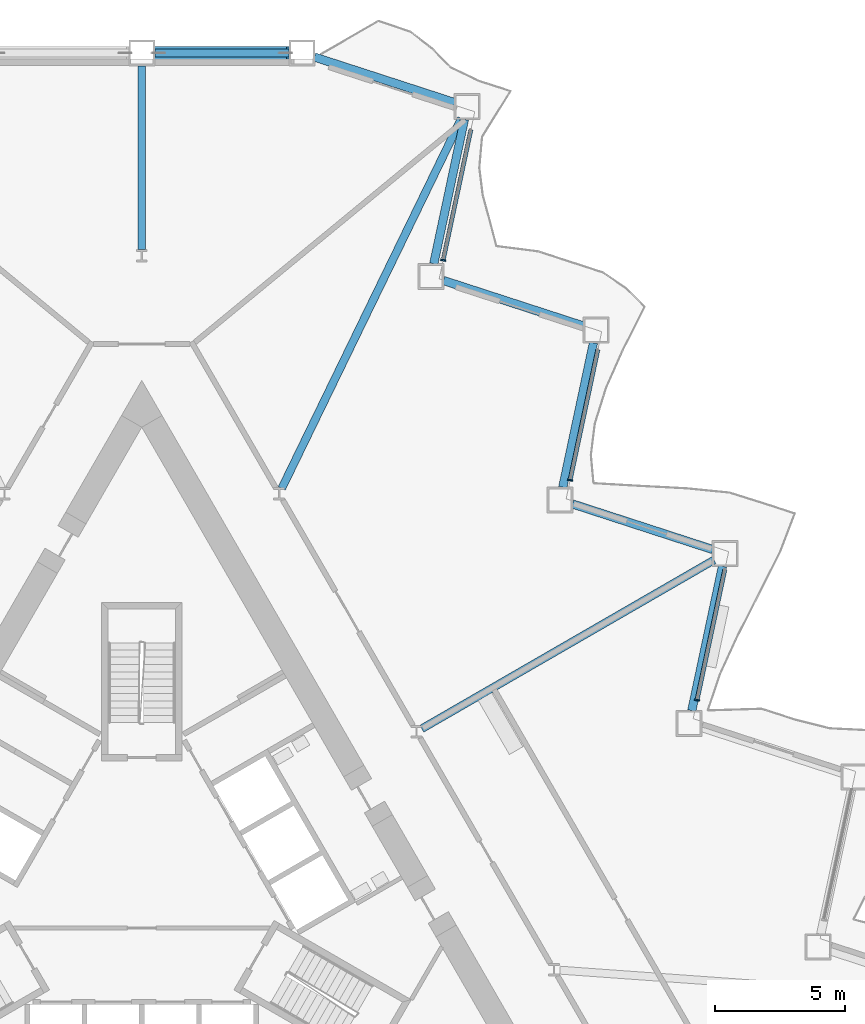
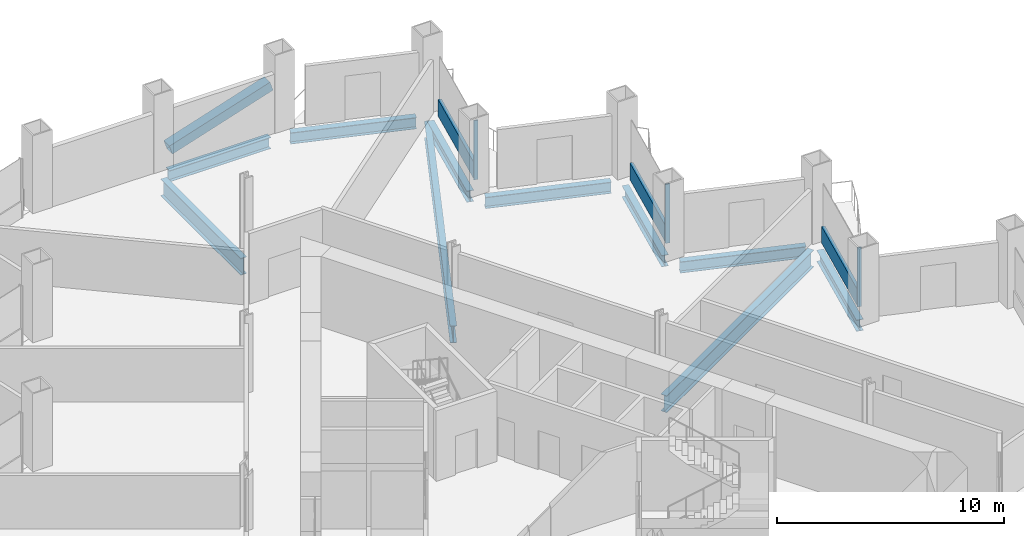
# One storey, part 7 of 20: 10 beams, 7 members, 3 elements without a shape of their own.
"""IFC4 building model written with IfcOpenShell, lengths in metres."""

from ifc_helpers import new_model, si_unit, direction, frame, origin, origin_2d, place, context, subcontext, project, spatial, rectangle, hollow_rectangle, i_section, extrude, material, layer, layer_set, material_profile, profile_set, type_object, element, aggregate, save


model = new_model("IFC4")

# Units and contexts
model_context = context("Model", 3, precision=1e-05, world=origin(), true_north=direction((0.0, 1.0)))
body_context = subcontext(model_context, "Body", "Model", "MODEL_VIEW")
ifc_project = project(units=[si_unit("LENGTHUNIT", "METRE"), si_unit("AREAUNIT", "SQUARE_METRE"), si_unit("VOLUMEUNIT", "CUBIC_METRE"), si_unit("PLANEANGLEUNIT", "RADIAN"), si_unit("MASSUNIT", "GRAM", prefix="KILO")], contexts=[model_context])

# Site, building, storey
site_placement = place(None, origin())
site = spatial("IfcSite", under=ifc_project, at=site_placement, CompositionType="ELEMENT")
building_placement = place(site_placement, origin())
building = spatial("IfcBuilding", under=site, at=building_placement, Name="Cormorant Prow Tower", CompositionType="ELEMENT")
storey_placement = place(building_placement, frame((0.0, 0.0, 55.199951171875)))
storey = spatial("IfcBuildingStorey", under=building, at=storey_placement, Name="L11", CompositionType="ELEMENT", Elevation=55.199951171875)

# Member
ifc_material_1 = material(Name="Structural steel ASTM A500 Gr C", Category="steel")
ifc_material_profile_1 = material_profile(ifc_material_1, hollow_rectangle(XDim=0.508056640625, YDim=0.508056640625, WallThickness=0.014892578125, at=origin_2d()), Name="HSS20x20x5/8")
ifc_profile_set_1 = profile_set([ifc_material_profile_1], Name="Structural steel ASTM A500 Gr C")
member_type_1 = type_object("IfcMemberType", Name="Chamfer brace HSS20x20x5/8", PredefinedType="BRACE", material=ifc_profile_set_1)
member_1_placement = place(storey_placement, frame((0.518798828125, 32.233642578125, 0.767333984375), z_axis=(0.951774314198, 0.0, 0.306799046335), x_axis=(0.0, 1.0, 0.0)))
element("IfcMember", 1, at=member_1_placement, inside=storey, type_object=member_type_1, Name="Chamfer brace BR1 at N00 L11", PredefinedType="BRACE", context=body_context, shape_type="SweptSolid", body=[
    extrude(hollow_rectangle(XDim=0.508056640625, YDim=0.508056640625, WallThickness=0.014892578125, at=origin_2d()), origin(), (0.0, 0.0, 1.0), 5.39208984375),
])

# Curtain wall, member
ifc_material_2 = material(Name="Aluminium 6063-T6", Category="aluminium")
ifc_layer = layer(ifc_material_2, 0.199951171875)
ifc_layer_set = layer_set([ifc_layer], Name="Aluminium 6063-T6")
curtain_wall_type = type_object("IfcCurtainWallType", Name="Office unitised curtain wall 200", PredefinedType="NOTDEFINED", material=ifc_layer_set)
curtain_wall_1_placement = place(storey_placement, origin())
curtain_wall_1 = element("IfcCurtainWall", 2, at=curtain_wall_1_placement, inside=storey, type_object=curtain_wall_type, Name="Office curtain wall ENE04", PredefinedType="NOTDEFINED")
ifc_material_3 = material(Name="Aluminium 6063-T6", Category="aluminium")
ifc_material_profile_2 = material_profile(ifc_material_3, rectangle(XDim=0.199951171875, YDim=0.06005859375, at=origin_2d()), Name="Office mullion 60x200")
ifc_profile_set_2 = profile_set([ifc_material_profile_2], Name="Aluminium 6063-T6")
member_type_2 = type_object("IfcMemberType", Name="Office mullion 60x200", PredefinedType="MULLION", material=ifc_profile_set_2)
member_2_placement = place(storey_placement, frame((21.376953125, 7.326904296875, 0.0), z_axis=(0.0, 0.0, 1.0), x_axis=(-0.978147607222, 0.207911660293, 0.0)))
member_2 = element("IfcMember", 3, at=member_2_placement, type_object=member_type_2, Name="Office mullion ENE04", PredefinedType="MULLION", context=body_context, shape_type="SweptSolid", body=[
    extrude(rectangle(XDim=0.199951171875, YDim=0.06005859375, at=origin_2d()), origin(), (0.0, 0.0, 1.0), 3.18896484375),
])

curtain_wall_2_placement = place(storey_placement, origin())
curtain_wall_2 = element("IfcCurtainWall", 4, at=curtain_wall_2_placement, inside=storey, type_object=curtain_wall_type, Name="Office curtain wall ENE06", PredefinedType="NOTDEFINED")
member_3_placement = place(storey_placement, frame((16.489013671875, 15.79296875, 0.0), z_axis=(0.0, 0.0, 1.0), x_axis=(-0.978147576301, 0.207911805763, 0.0)))
member_3 = element("IfcMember", 5, at=member_3_placement, type_object=member_type_2, Name="Office mullion ENE06", PredefinedType="MULLION", context=body_context, shape_type="SweptSolid", body=[
    extrude(rectangle(XDim=0.199951171875, YDim=0.06005859375, at=origin_2d()), origin(), (0.0, 0.0, 1.0), 3.18896484375),
])

curtain_wall_3_placement = place(storey_placement, origin())
curtain_wall_3 = element("IfcCurtainWall", 6, at=curtain_wall_3_placement, inside=storey, type_object=curtain_wall_type, Name="Office curtain wall ENE08", PredefinedType="NOTDEFINED")
member_4_placement = place(storey_placement, frame((11.601318359375, 24.2587890625, 0.0), z_axis=(0.0, 0.0, 1.0), x_axis=(-0.978147576301, 0.207911805763, 0.0)))
member_4 = element("IfcMember", 7, at=member_4_placement, type_object=member_type_2, Name="Office mullion ENE08", PredefinedType="MULLION", context=body_context, shape_type="SweptSolid", body=[
    extrude(rectangle(XDim=0.199951171875, YDim=0.06005859375, at=origin_2d()), origin(), (0.0, 0.0, 1.0), 3.18896484375),
])

# Member
ifc_material_4 = material(Name="Terracotta", Category="masonry")
ifc_material_profile_3 = material_profile(ifc_material_4, rectangle(XDim=0.159912109375, YDim=0.89990234375, at=origin_2d()), Name="Office terracotta spandrel rail 160x900")
ifc_profile_set_3 = profile_set([ifc_material_profile_3], Name="Terracotta")
member_type_3 = type_object("IfcMemberType", Name="Office terracotta spandrel rail 160x900", PredefinedType="USERDEFINED", material=ifc_profile_set_3)
member_5_placement = place(storey_placement, frame((21.383056640625, 7.3564453125, 0.449951171875), z_axis=(0.207933595609, 0.97814294447, 0.0), x_axis=(-0.97814294447, 0.207933595609, 0.0)))
member_5 = element("IfcMember", 8, at=member_5_placement, type_object=member_type_3, Name="Office spandrel rail ENE04", ObjectType="TRANSOM", PredefinedType="USERDEFINED", context=body_context, shape_type="SweptSolid", body=[
    extrude(rectangle(XDim=0.159912109375, YDim=0.89990234375, at=origin_2d()), origin(), (0.0, 0.0, 1.0), 5.111083984375),
])

aggregate(curtain_wall_1, [member_2, member_5])

member_6_placement = place(storey_placement, frame((16.495361328125, 15.822265625, 0.449951171875), z_axis=(0.207923880601, 0.978145009636, 0.0), x_axis=(-0.978145009636, 0.207923880601, 0.0)))
member_6 = element("IfcMember", 9, at=member_6_placement, type_object=member_type_3, Name="Office spandrel rail ENE06", ObjectType="TRANSOM", PredefinedType="USERDEFINED", context=body_context, shape_type="SweptSolid", body=[
    extrude(rectangle(XDim=0.159912109375, YDim=0.89990234375, at=origin_2d()), origin(), (0.0, 0.0, 1.0), 5.111328125),
])

aggregate(curtain_wall_2, [member_3, member_6])

member_7_placement = place(storey_placement, frame((11.607666015625, 24.2880859375, 0.449951171875), z_axis=(0.20787817929, 0.978154723229, 0.0), x_axis=(-0.978154723229, 0.20787817929, 0.0)))
member_7 = element("IfcMember", 10, at=member_7_placement, type_object=member_type_3, Name="Office spandrel rail ENE08", ObjectType="TRANSOM", PredefinedType="USERDEFINED", context=body_context, shape_type="SweptSolid", body=[
    extrude(rectangle(XDim=0.159912109375, YDim=0.89990234375, at=origin_2d()), origin(), (0.0, 0.0, 1.0), 5.111083984375),
])

aggregate(curtain_wall_3, [member_4, member_7])

# Beams
ifc_material_5 = material(Name="Structural steel ASTM A992 Gr 50", Category="steel")
ifc_material_profile_4 = material_profile(ifc_material_5, i_section(OverallWidth=0.3046875, OverallDepth=0.914794921875, WebThickness=0.0166015625, FlangeThickness=0.02587890625, at=origin_2d()), Name="W36x160")
ifc_profile_set_4 = profile_set([ifc_material_profile_4], Name="Structural steel ASTM A992 Gr 50")
beam_type_1 = type_object("IfcBeamType", Name="Radial floor beam W36x160", PredefinedType="BEAM", material=ifc_profile_set_4)
beam_1_placement = place(storey_placement, frame((0.0, 24.662109375, -0.857421875), z_axis=(0.0, 1.0, 0.0), x_axis=(-1.0, 0.0, 0.0)))
element("IfcBeam", 11, at=beam_1_placement, inside=storey, type_object=beam_type_1, Name="Radial floor beam FB1 1 L11", PredefinedType="BEAM", context=body_context, shape_type="SweptSolid", body=[
    extrude(i_section(OverallWidth=0.3046875, OverallDepth=0.914794921875, WebThickness=0.0166015625, FlangeThickness=0.02587890625, at=origin_2d()), origin(), (0.0, 0.0, 1.0), 7.071533203125),
])
beam_2_placement = place(storey_placement, frame((10.779541015625, 6.2236328125, -0.857421875), z_axis=(0.866030278318, 0.499991556966, 0.0), x_axis=(-0.499991556966, 0.866030278318, 0.0)))
element("IfcBeam", 12, at=beam_2_placement, inside=storey, type_object=beam_type_1, Name="Radial floor beam FB1 11 L11", PredefinedType="BEAM", context=body_context, shape_type="SweptSolid", body=[
    extrude(i_section(OverallWidth=0.3046875, OverallDepth=0.914794921875, WebThickness=0.0166015625, FlangeThickness=0.02587890625, at=origin_2d()), origin(), (0.0, 0.0, 1.0), 12.984130859375),
])
beam_3_placement = place(storey_placement, frame((5.390625, 15.4775390625, -0.857421875), z_axis=(0.436839436813, 0.899539496879, 0.0), x_axis=(-0.899539496879, 0.436839436813, 0.0)))
element("IfcBeam", 13, at=beam_3_placement, inside=storey, type_object=beam_type_1, Name="Radial floor beam FB1 12 L11", PredefinedType="BEAM", context=body_context, shape_type="SweptSolid", body=[
    extrude(i_section(OverallWidth=0.3046875, OverallDepth=0.914794921875, WebThickness=0.0166015625, FlangeThickness=0.02587890625, at=origin_2d()), origin(), (0.0, 0.0, 1.0), 15.83203125),
])
ifc_material_6 = material(Name="Structural steel ASTM A992 Gr 50", Category="steel")
ifc_material_profile_5 = material_profile(ifc_material_6, i_section(OverallWidth=0.32373046875, OverallDepth=0.611083984375, WebThickness=0.0126953125, FlangeThickness=0.01904296875, at=origin_2d()), Name="W24x104")
ifc_profile_set_5 = profile_set([ifc_material_profile_5], Name="Structural steel ASTM A992 Gr 50")
beam_type_2 = type_object("IfcBeamType", Name="Spandrel beam W24x104", PredefinedType="SPANDREL", material=ifc_profile_set_5)
beam_4_placement = place(storey_placement, frame((21.171875, 6.918212890625, -0.70556640625), z_axis=(0.207900376723, 0.97815000555, 0.0), x_axis=(-0.97815000555, 0.207900376723, 0.0)))
element("IfcBeam", 14, at=beam_4_placement, inside=storey, type_object=beam_type_2, Name="Spandrel beam SB1 ENE04-ENE05 L11", PredefinedType="SPANDREL", context=body_context, shape_type="SweptSolid", body=[
    extrude(i_section(OverallWidth=0.32373046875, OverallDepth=0.611083984375, WebThickness=0.0126953125, FlangeThickness=0.01904296875, at=origin_2d()), origin(), (0.0, 0.0, 1.0), 5.6826171875),
])
beam_5_placement = place(storey_placement, frame((21.981689453125, 13.1201171875, -0.70556640625), z_axis=(-0.951049222751, 0.309039440696, 0.0), x_axis=(-0.309039440696, -0.951049222751, 0.0)))
element("IfcBeam", 15, at=beam_5_placement, inside=storey, type_object=beam_type_2, Name="Spandrel beam SB1 ENE05-ENE06 L11", PredefinedType="SPANDREL", context=body_context, shape_type="SweptSolid", body=[
    extrude(i_section(OverallWidth=0.32373046875, OverallDepth=0.611083984375, WebThickness=0.0126953125, FlangeThickness=0.01904296875, at=origin_2d()), origin(), (0.0, 0.0, 1.0), 5.682373046875),
])
beam_6_placement = place(storey_placement, frame((16.205810546875, 15.519775390625, -0.70556640625), z_axis=(0.207900376723, 0.97815000555, 0.0), x_axis=(-0.97815000555, 0.207900376723, 0.0)))
element("IfcBeam", 16, at=beam_6_placement, inside=storey, type_object=beam_type_2, Name="Spandrel beam SB1 ENE06-ENE07 L11", PredefinedType="SPANDREL", context=body_context, shape_type="SweptSolid", body=[
    extrude(i_section(OverallWidth=0.32373046875, OverallDepth=0.611083984375, WebThickness=0.0126953125, FlangeThickness=0.01904296875, at=origin_2d()), origin(), (0.0, 0.0, 1.0), 5.6826171875),
])
beam_7_placement = place(storey_placement, frame((17.015625, 21.7216796875, -0.70556640625), z_axis=(-0.951049222751, 0.309039440696, 0.0), x_axis=(-0.309039440696, -0.951049222751, 0.0)))
element("IfcBeam", 17, at=beam_7_placement, inside=storey, type_object=beam_type_2, Name="Spandrel beam SB1 ENE07-ENE08 L11", PredefinedType="SPANDREL", context=body_context, shape_type="SweptSolid", body=[
    extrude(i_section(OverallWidth=0.32373046875, OverallDepth=0.611083984375, WebThickness=0.0126953125, FlangeThickness=0.01904296875, at=origin_2d()), origin(), (0.0, 0.0, 1.0), 5.682373046875),
])
beam_8_placement = place(storey_placement, frame((11.23974609375, 24.121337890625, -0.70556640625), z_axis=(0.207900376723, 0.97815000555, 0.0), x_axis=(-0.97815000555, 0.207900376723, 0.0)))
element("IfcBeam", 18, at=beam_8_placement, inside=storey, type_object=beam_type_2, Name="Spandrel beam SB1 ENE08-ENE09 L11", PredefinedType="SPANDREL", context=body_context, shape_type="SweptSolid", body=[
    extrude(i_section(OverallWidth=0.32373046875, OverallDepth=0.611083984375, WebThickness=0.0126953125, FlangeThickness=0.01904296875, at=origin_2d()), origin(), (0.0, 0.0, 1.0), 5.6826171875),
])
beam_9_placement = place(storey_placement, frame((12.049560546875, 30.3232421875, -0.70556640625), z_axis=(-0.951061849722, 0.309000579292, 0.0), x_axis=(-0.309000579292, -0.951061849722, 0.0)))
element("IfcBeam", 19, at=beam_9_placement, inside=storey, type_object=beam_type_2, Name="Spandrel beam SB1 ENE09-N00 L11", PredefinedType="SPANDREL", context=body_context, shape_type="SweptSolid", body=[
    extrude(i_section(OverallWidth=0.32373046875, OverallDepth=0.611083984375, WebThickness=0.0126953125, FlangeThickness=0.01904296875, at=origin_2d()), origin(), (0.0, 0.0, 1.0), 5.682373046875),
])
beam_10_placement = place(storey_placement, frame((5.669677734375, 32.233642578125, -0.70556640625), z_axis=(-1.0, 0.0, 0.0), x_axis=(0.0, -1.0, 0.0)))
element("IfcBeam", 20, at=beam_10_placement, inside=storey, type_object=beam_type_2, Name="Spandrel beam SB1 N00-N01 L11", PredefinedType="SPANDREL", context=body_context, shape_type="SweptSolid", body=[
    extrude(i_section(OverallWidth=0.32373046875, OverallDepth=0.611083984375, WebThickness=0.0126953125, FlangeThickness=0.01904296875, at=origin_2d()), origin(), (0.0, 0.0, 1.0), 5.169677734375),
])

save(model, "model.ifc")
